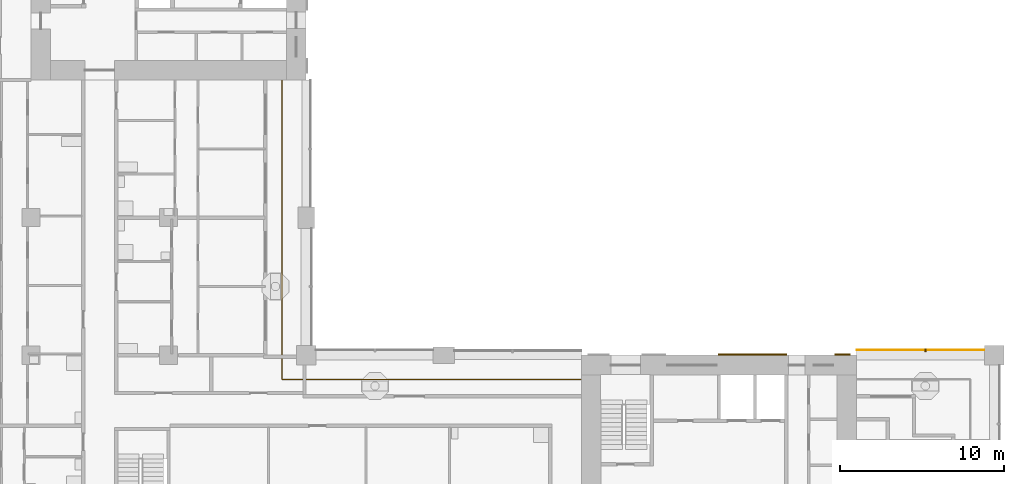
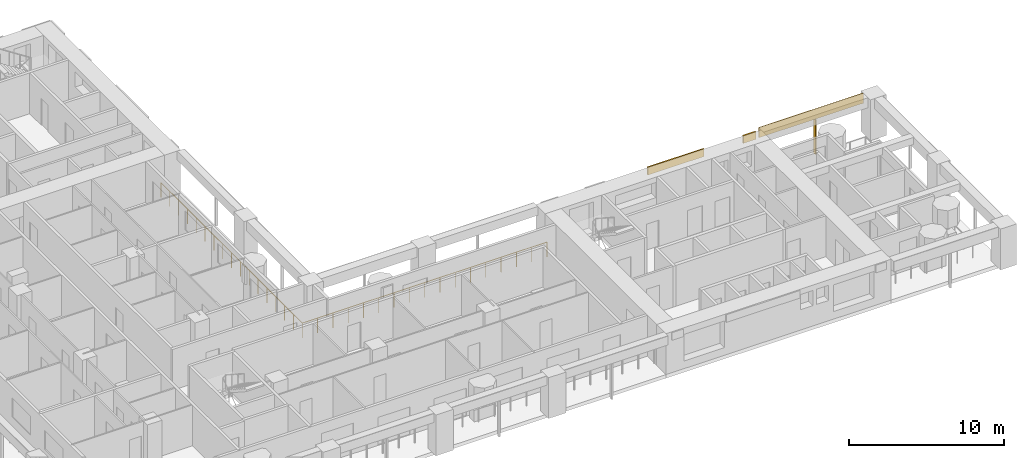
# One storey, part 13 of 18: 4 shading devices, 1 railing.
"""IFC4 building model written with IfcOpenShell, lengths in metres."""

from ifc_helpers import new_model, si_unit, direction, frame, origin, origin_2d, place, context, subcontext, project, spatial, rectangle, circle, extrude, material, layer, layer_set, material_profile, profile_set, type_object, element, save


model = new_model("IFC4")

# Units and contexts
model_context = context("Model", 3, precision=1e-05, world=origin(), true_north=direction((0.0, 1.0)))
body_context = subcontext(model_context, "Body", "Model", "MODEL_VIEW")
ifc_project = project(units=[si_unit("LENGTHUNIT", "METRE"), si_unit("AREAUNIT", "SQUARE_METRE"), si_unit("VOLUMEUNIT", "CUBIC_METRE"), si_unit("PLANEANGLEUNIT", "RADIAN"), si_unit("MASSUNIT", "GRAM", prefix="KILO")], contexts=[model_context])

# Site, building, storey
site_placement = place(None, origin())
site = spatial("IfcSite", under=ifc_project, at=site_placement, CompositionType="ELEMENT")
building_placement = place(site_placement, origin())
building = spatial("IfcBuilding", under=site, at=building_placement, Name="Vermilion Gate Residences", CompositionType="ELEMENT")
storey_placement = place(building_placement, frame((0.0, 0.0, 84.699951171875)))
storey = spatial("IfcBuildingStorey", under=building, at=storey_placement, Name="L20", CompositionType="ELEMENT", Elevation=84.699951171875)

# Railing
ifc_material_1 = material(Name="Stainless steel and toughened glass", Category="steel")
railing_type = type_object("IfcRailingType", Name="LOGGIA GUARD STEEL AND GLASS 1200", PredefinedType="GUARDRAIL", material=ifc_material_1)
railing_placement = place(storey_placement, frame((41.97802734375, 23.72509765625, 0.0)))
element("IfcRailing", 1, at=railing_placement, inside=storey, type_object=railing_type, Name="Loggia guard", PredefinedType="GUARDRAIL", context=body_context, shape_type="SweptSolid", body=[
    extrude(circle(Radius=0.030029296875, at=origin_2d()), frame((0.0, 0.0, 1.169921875), z_axis=(-1.0, 0.0, 0.0), x_axis=(0.0, -1.0, 0.0)), (0.0, 0.0, 1.0), 18.2529296875),
    extrude(circle(Radius=0.030029296875, at=origin_2d()), frame((-18.2529296875, 0.0, 1.169921875), z_axis=(0.0, 1.0, 0.0), x_axis=(-1.0, 0.0, 0.0)), (0.0, 0.0, 1.0), 18.2529296875),
    extrude(circle(Radius=0.02490234375, at=origin_2d()), origin(), (0.0, 0.0, 1.0), 1.139892578125),
    extrude(circle(Radius=0.02490234375, at=origin_2d()), frame((-1.140869140625, 0.0, 0.0)), (0.0, 0.0, 1.0), 1.139892578125),
    extrude(circle(Radius=0.02490234375, at=origin_2d()), frame((-2.28173828125, 0.0, 0.0)), (0.0, 0.0, 1.0), 1.139892578125),
    extrude(circle(Radius=0.02490234375, at=origin_2d()), frame((-3.42236328125, 0.0, 0.0)), (0.0, 0.0, 1.0), 1.139892578125),
    extrude(circle(Radius=0.02490234375, at=origin_2d()), frame((-4.563232421875, 0.0, 0.0)), (0.0, 0.0, 1.0), 1.139892578125),
    extrude(circle(Radius=0.02490234375, at=origin_2d()), frame((-5.7041015625, 0.0, 0.0)), (0.0, 0.0, 1.0), 1.139892578125),
    extrude(circle(Radius=0.02490234375, at=origin_2d()), frame((-6.8447265625, 0.0, 0.0)), (0.0, 0.0, 1.0), 1.139892578125),
    extrude(circle(Radius=0.02490234375, at=origin_2d()), frame((-7.985595703125, 0.0, 0.0)), (0.0, 0.0, 1.0), 1.139892578125),
    extrude(circle(Radius=0.02490234375, at=origin_2d()), frame((-9.12646484375, 0.0, 0.0)), (0.0, 0.0, 1.0), 1.139892578125),
    extrude(circle(Radius=0.02490234375, at=origin_2d()), frame((-10.267333984375, 0.0, 0.0)), (0.0, 0.0, 1.0), 1.139892578125),
    extrude(circle(Radius=0.02490234375, at=origin_2d()), frame((-11.408203125, 0.0, 0.0)), (0.0, 0.0, 1.0), 1.139892578125),
    extrude(circle(Radius=0.02490234375, at=origin_2d()), frame((-12.548828125, 0.0, 0.0)), (0.0, 0.0, 1.0), 1.139892578125),
    extrude(circle(Radius=0.02490234375, at=origin_2d()), frame((-13.689697265625, 0.0, 0.0)), (0.0, 0.0, 1.0), 1.139892578125),
    extrude(circle(Radius=0.02490234375, at=origin_2d()), frame((-14.83056640625, 0.0, 0.0)), (0.0, 0.0, 1.0), 1.139892578125),
    extrude(circle(Radius=0.02490234375, at=origin_2d()), frame((-15.97119140625, 0.0, 0.0)), (0.0, 0.0, 1.0), 1.139892578125),
    extrude(circle(Radius=0.02490234375, at=origin_2d()), frame((-17.112060546875, 0.0, 0.0)), (0.0, 0.0, 1.0), 1.139892578125),
    extrude(circle(Radius=0.02490234375, at=origin_2d()), frame((-18.2529296875, 0.0, 0.0)), (0.0, 0.0, 1.0), 1.139892578125),
    extrude(circle(Radius=0.02490234375, at=origin_2d()), frame((-18.2529296875, 1.140869140625, 0.0)), (0.0, 0.0, 1.0), 1.139892578125),
    extrude(circle(Radius=0.02490234375, at=origin_2d()), frame((-18.2529296875, 2.28173828125, 0.0)), (0.0, 0.0, 1.0), 1.139892578125),
    extrude(circle(Radius=0.02490234375, at=origin_2d()), frame((-18.2529296875, 3.42236328125, 0.0)), (0.0, 0.0, 1.0), 1.139892578125),
    extrude(circle(Radius=0.02490234375, at=origin_2d()), frame((-18.2529296875, 4.563232421875, 0.0)), (0.0, 0.0, 1.0), 1.139892578125),
    extrude(circle(Radius=0.02490234375, at=origin_2d()), frame((-18.2529296875, 5.7041015625, 0.0)), (0.0, 0.0, 1.0), 1.139892578125),
    extrude(circle(Radius=0.02490234375, at=origin_2d()), frame((-18.2529296875, 6.8447265625, 0.0)), (0.0, 0.0, 1.0), 1.139892578125),
    extrude(circle(Radius=0.02490234375, at=origin_2d()), frame((-18.2529296875, 7.985595703125, 0.0)), (0.0, 0.0, 1.0), 1.139892578125),
    extrude(circle(Radius=0.02490234375, at=origin_2d()), frame((-18.2529296875, 9.12646484375, 0.0)), (0.0, 0.0, 1.0), 1.139892578125),
    extrude(circle(Radius=0.02490234375, at=origin_2d()), frame((-18.2529296875, 10.267333984375, 0.0)), (0.0, 0.0, 1.0), 1.139892578125),
    extrude(circle(Radius=0.02490234375, at=origin_2d()), frame((-18.2529296875, 11.408203125, 0.0)), (0.0, 0.0, 1.0), 1.139892578125),
    extrude(circle(Radius=0.02490234375, at=origin_2d()), frame((-18.2529296875, 12.548828125, 0.0)), (0.0, 0.0, 1.0), 1.139892578125),
    extrude(circle(Radius=0.02490234375, at=origin_2d()), frame((-18.2529296875, 13.689697265625, 0.0)), (0.0, 0.0, 1.0), 1.139892578125),
    extrude(circle(Radius=0.02490234375, at=origin_2d()), frame((-18.2529296875, 14.83056640625, 0.0)), (0.0, 0.0, 1.0), 1.139892578125),
    extrude(circle(Radius=0.02490234375, at=origin_2d()), frame((-18.2529296875, 15.97119140625, 0.0)), (0.0, 0.0, 1.0), 1.139892578125),
    extrude(circle(Radius=0.02490234375, at=origin_2d()), frame((-18.2529296875, 17.112060546875, 0.0)), (0.0, 0.0, 1.0), 1.139892578125),
    extrude(circle(Radius=0.02490234375, at=origin_2d()), frame((-18.2529296875, 18.2529296875, 0.0)), (0.0, 0.0, 1.0), 1.139892578125),
])

# Shading devices
ifc_material_2 = material(Name="Perforated terracotta", Category="masonry")
ifc_layer_1 = layer(ifc_material_2, 0.0400390625)
ifc_layer_set_1 = layer_set([ifc_layer_1], Name="PERFORATED TERRACOTTA SCREEN 40")
shading_device_type_1 = type_object("IfcShadingDeviceType", Name="PERFORATED TERRACOTTA SCREEN 40", PredefinedType="SHUTTER", material=ifc_layer_set_1)
shading_device_1_placement = place(storey_placement, frame((62.699951171875, 25.52001953125, 2.419921875), z_axis=(0.0, 0.0, 1.0), x_axis=(-1.0, 0.0, 0.0)))
element("IfcShadingDevice", 2, at=shading_device_1_placement, inside=storey, type_object=shading_device_type_1, Name="SCREEN", PredefinedType="SHUTTER", context=body_context, shape_type="SweptSolid", body=[
    extrude(rectangle(XDim=7.800048828125, YDim=0.0400390625, at=origin_2d()), origin(), (0.0, 0.0, 1.0), 0.800048828125),
])
ifc_material_3 = material(Name="Extruded terracotta", Category="masonry")
ifc_material_profile = material_profile(ifc_material_3, rectangle(XDim=0.199951171875, YDim=0.10009765625, at=origin_2d()), Name="BAGUETTE 100 X 200")
ifc_profile_set = profile_set([ifc_material_profile], Name="Extruded terracotta")
shading_device_type_2 = type_object("IfcShadingDeviceType", Name="TERRACOTTA BAGUETTE 100 X 200", PredefinedType="JALOUSIE", material=ifc_profile_set)
shading_device_2_placement = place(storey_placement, frame((63.0, 25.5, -0.280029296875), z_axis=(0.0, 0.0, 1.0), x_axis=(0.0, -1.0, 0.0)))
element("IfcShadingDevice", 3, at=shading_device_2_placement, inside=storey, type_object=shading_device_type_2, Name="BAGUETTE", PredefinedType="JALOUSIE", context=body_context, shape_type="SweptSolid", body=[
    extrude(rectangle(XDim=0.199951171875, YDim=0.10009765625, at=origin_2d()), origin(), (0.0, 0.0, 1.0), 2.7001953125),
])
ifc_material_4 = material(Name="Extruded terracotta", Category="masonry")
ifc_layer_2 = layer(ifc_material_4, 0.10009765625)
ifc_layer_set_2 = layer_set([ifc_layer_2], Name="TERRACOTTA SPANDREL BAND 600 X 100")
shading_device_type_3 = type_object("IfcShadingDeviceType", Name="TERRACOTTA SPANDREL BAND 600 X 100", PredefinedType="USERDEFINED", material=ifc_layer_set_2)
shading_device_3_placement = place(storey_placement, frame((52.449951171875, 25.25, 2.6201171875), z_axis=(0.0, 0.0, 1.0), x_axis=(1.0, 0.0, 0.0)))
element("IfcShadingDevice", 4, at=shading_device_3_placement, inside=storey, type_object=shading_device_type_3, Name="SPANDREL BAND", ObjectType="BAND", PredefinedType="USERDEFINED", context=body_context, shape_type="SweptSolid", body=[
    extrude(rectangle(XDim=4.199951171875, YDim=0.10009765625, at=origin_2d()), origin(), (0.0, 0.0, 1.0), 0.60009765625),
])
shading_device_4_placement = place(storey_placement, frame((57.9375, 25.25, 2.6201171875), z_axis=(0.0, 0.0, 1.0), x_axis=(1.0, 0.0, 0.0)))
element("IfcShadingDevice", 5, at=shading_device_4_placement, inside=storey, type_object=shading_device_type_3, Name="SPANDREL BAND", ObjectType="BAND", PredefinedType="USERDEFINED", context=body_context, shape_type="SweptSolid", body=[
    extrude(rectangle(XDim=0.925048828125, YDim=0.10009765625, at=origin_2d()), origin(), (0.0, 0.0, 1.0), 0.60009765625),
])

save(model, "model.ifc")
